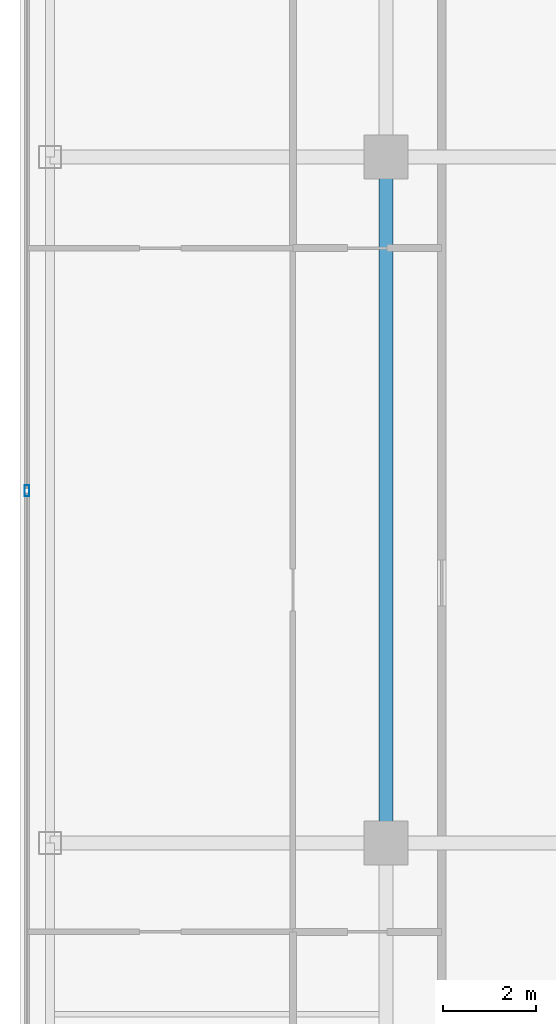
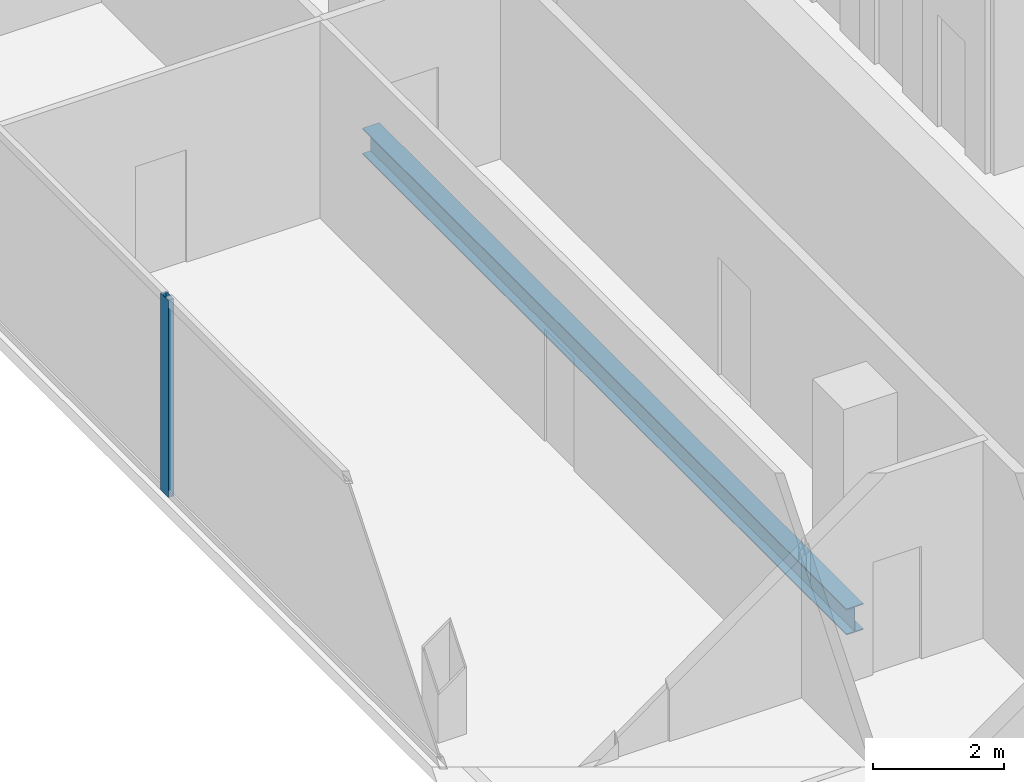
# One storey, part 6 of 22: 1 beam, 1 member, 1 element without a shape of its own.
"""IFC4 building model written with IfcOpenShell, lengths in metres."""

from ifc_helpers import new_model, si_unit, direction, frame, origin, origin_2d, place, context, subcontext, project, spatial, hollow_rectangle, i_section, extrude, material, layer, layer_set, material_profile, profile_set, type_object, element, aggregate, save


model = new_model("IFC4")

# Units and contexts
model_context = context("Model", 3, precision=1e-05, world=origin(), true_north=direction((0.0, 1.0)))
body_context = subcontext(model_context, "Body", "Model", "MODEL_VIEW")
ifc_project = project(units=[si_unit("LENGTHUNIT", "METRE"), si_unit("AREAUNIT", "SQUARE_METRE"), si_unit("VOLUMEUNIT", "CUBIC_METRE"), si_unit("PLANEANGLEUNIT", "RADIAN"), si_unit("MASSUNIT", "GRAM", prefix="KILO")], contexts=[model_context])

# Site, building, storey
site_placement = place(None, origin())
site = spatial("IfcSite", under=ifc_project, at=site_placement, CompositionType="ELEMENT")
building_placement = place(site_placement, origin())
building = spatial("IfcBuilding", under=site, at=building_placement, Name="Khorvyn Point Tower", CompositionType="ELEMENT")
storey_placement = place(building_placement, frame((0.0, 0.0, 305.39990234375)))
storey = spatial("IfcBuildingStorey", under=building, at=storey_placement, Name="L75", CompositionType="ELEMENT", Elevation=305.39990234375)

# Curtain wall, member
ifc_material_1 = material(Name="Anodised aluminium 6063-T6 and laminated Low-E glass", Category="aluminium")
ifc_layer = layer(ifc_material_1, 0.18994140625)
ifc_layer_set = layer_set([ifc_layer], Name="Stick-Built High-Wind Curtain Wall CW-SYS-04")
curtain_wall_type = type_object("IfcCurtainWallType", Name="Stick-Built High-Wind Curtain Wall CW-SYS-04", PredefinedType="NOTDEFINED", material=ifc_layer_set)
curtain_wall_placement = place(storey_placement, origin())
curtain_wall = element("IfcCurtainWall", 1, at=curtain_wall_placement, inside=storey, type_object=curtain_wall_type, Name="Curtain Wall", PredefinedType="NOTDEFINED")
ifc_material_2 = material(Name="Anodised aluminium 6063-T6", Category="aluminium")
ifc_material_profile_1 = material_profile(ifc_material_2, hollow_rectangle(XDim=0.10009765625, YDim=0.239990234375, WallThickness=0.0048828125, at=origin_2d()))
ifc_profile_set_1 = profile_set([ifc_material_profile_1], Name="Anodised aluminium 6063-T6 ALU-MUL-100x240")
member_type = type_object("IfcMemberType", Name="Anodised Aluminium 6063-T6 Mullion ALU-MUL-100x240", PredefinedType="MULLION", material=ifc_profile_set_1)
member_placement = place(storey_placement, frame((-22.550048828125, 0.199951171875, 0.0), z_axis=(0.0, 0.0, 1.0), x_axis=(-1.0, 0.0, 0.0)))
member = element("IfcMember", 2, at=member_placement, type_object=member_type, Name="Transom", PredefinedType="MULLION", context=body_context, shape_type="SweptSolid", body=[
    extrude(hollow_rectangle(XDim=0.10009765625, YDim=0.239990234375, WallThickness=0.0048828125, at=origin_2d()), origin(), (0.0, 0.0, 1.0), 3.68017578125),
])
aggregate(curtain_wall, [member])

# Beam
ifc_material_3 = material(Name="Steel S355", Category="steel")
ifc_material_profile_2 = material_profile(ifc_material_3, i_section(OverallWidth=0.300048828125, OverallDepth=0.488037109375, WebThickness=0.010986328125, FlangeThickness=0.01806640625, at=origin_2d()))
ifc_profile_set_2 = profile_set([ifc_material_profile_2], Name="Steel S355 H488x300x11x18")
beam_type = type_object("IfcBeamType", Name="Steel S355 Spandrel H488x300x11x18", PredefinedType="SPANDREL", material=ifc_profile_set_2)
beam_placement = place(storey_placement, frame((-14.800048828125, -7.39990234375, -0.4638671875), z_axis=(0.0, 1.0, 0.0), x_axis=(-1.0, 0.0, 0.0)))
element("IfcBeam", 3, at=beam_placement, inside=storey, type_object=beam_type, Name="Beam", PredefinedType="SPANDREL", context=body_context, shape_type="SweptSolid", body=[
    extrude(i_section(OverallWidth=0.300048828125, OverallDepth=0.488037109375, WebThickness=0.010986328125, FlangeThickness=0.01806640625, at=origin_2d()), origin(), (0.0, 0.0, 1.0), 14.7998046875),
])

save(model, "model.ifc")
